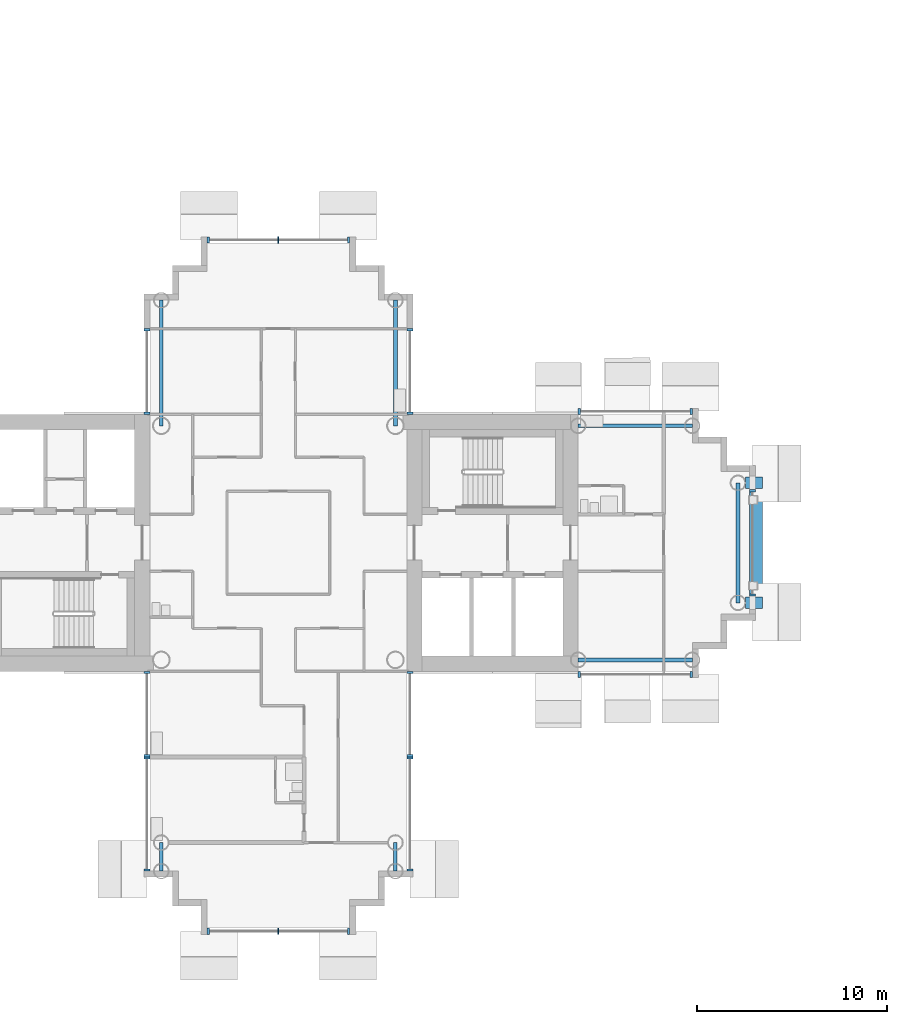
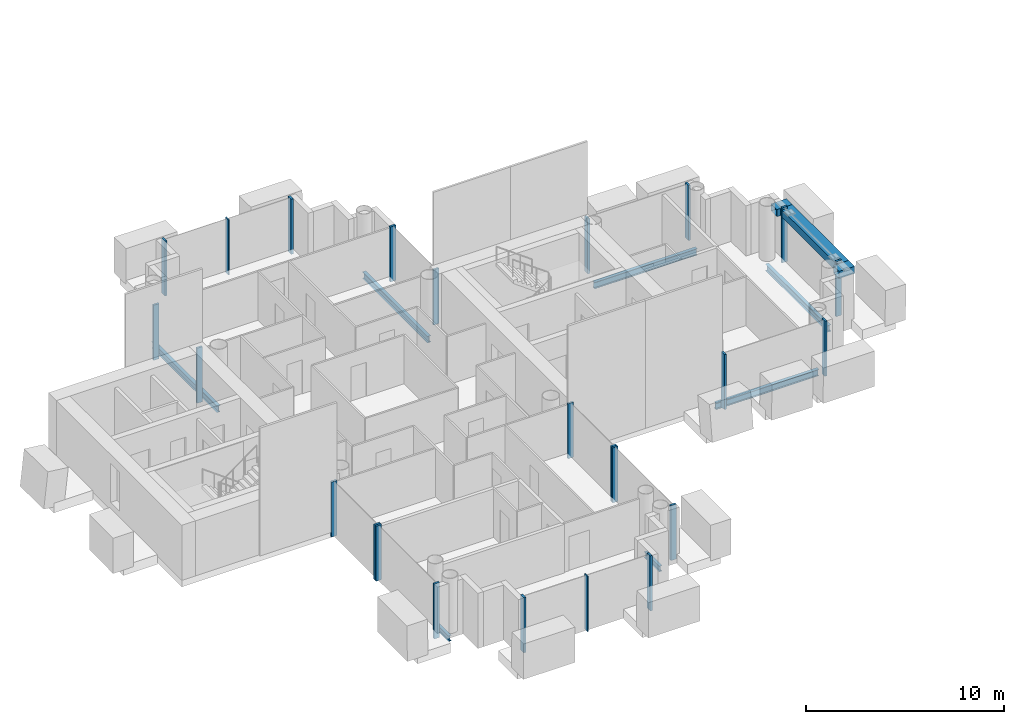
# One storey, part 3 of 18: 24 members, 10 beams, 11 elements without a shape of their own.
"""IFC4 building model written with IfcOpenShell, lengths in metres."""

from ifc_helpers import new_model, si_unit, direction, frame, origin, origin_2d, place, context, subcontext, project, spatial, rectangle, hollow_rectangle, i_section, extrude, material, layer, layer_set, material_profile, profile_set, type_object, element, aggregate, save


model = new_model("IFC4")

# Units and contexts
model_context = context("Model", 3, precision=1e-05, world=origin(), true_north=direction((0.0, 1.0)))
body_context = subcontext(model_context, "Body", "Model", "MODEL_VIEW")
ifc_project = project(units=[si_unit("LENGTHUNIT", "METRE"), si_unit("AREAUNIT", "SQUARE_METRE"), si_unit("VOLUMEUNIT", "CUBIC_METRE"), si_unit("PLANEANGLEUNIT", "RADIAN"), si_unit("MASSUNIT", "GRAM", prefix="KILO")], contexts=[model_context])

# Site, building, storey
site_placement = place(None, origin())
site = spatial("IfcSite", under=ifc_project, at=site_placement, CompositionType="ELEMENT")
building_placement = place(site_placement, origin())
building = spatial("IfcBuilding", under=site, at=building_placement, Name="Ipe Terrace Towers", CompositionType="ELEMENT")
storey_placement = place(building_placement, frame((0.0, 0.0, 177.89990234375)))
storey = spatial("IfcBuildingStorey", under=building, at=storey_placement, Name="L49", CompositionType="ELEMENT", Elevation=177.89990234375)

# Beams
ifc_material_1 = material(Name="Steel S355", Category="steel")
ifc_material_profile_1 = material_profile(ifc_material_1, hollow_rectangle(XDim=0.60009765625, YDim=0.449951171875, WallThickness=0.02490234375, at=origin_2d()), Name="BRIDGE-CORBEL BOX 600x450x25")
ifc_profile_set_1 = profile_set([ifc_material_profile_1], Name="Steel S355")
beam_type_1 = type_object("IfcBeamType", Name="BRIDGE-CORBEL BOX 600x450x25", PredefinedType="USERDEFINED", material=ifc_profile_set_1)
for number, where, z_axis, x_axis, name in (
    (1, (-11.449951171875, -3.14990234375, 2.7451171875), (1.0, 0.0, 0.0), (0.0, 1.0, 0.0), "BR3-CB-T1-S bearing seat arm"),
    (2, (-11.449951171875, 3.14990234375, 2.7451171875), (1.0, 0.0, 0.0), (0.0, 1.0, 0.0), "BR3-CB-T1-N bearing seat arm"),
):
    element("IfcBeam", number, at=place(storey_placement, frame(where, z_axis=z_axis, x_axis=x_axis)), inside=storey, type_object=beam_type_1, Name=name, ObjectType="CORBEL", PredefinedType="USERDEFINED", context=body_context, shape_type="SweptSolid", body=[
        extrude(hollow_rectangle(XDim=0.60009765625, YDim=0.449951171875, WallThickness=0.02490234375, at=origin_2d()), origin(), (0.0, 0.0, 1.0), 0.89990234375),
    ])
ifc_material_2 = material(Name="Steel S355", Category="steel")
ifc_material_profile_2 = material_profile(ifc_material_2, hollow_rectangle(XDim=0.699951171875, YDim=0.449951171875, WallThickness=0.02490234375, at=origin_2d()), Name="BRIDGE-SEAT BEAM BOX 700x450x25")
ifc_profile_set_2 = profile_set([ifc_material_profile_2], Name="Steel S355")
beam_type_2 = type_object("IfcBeamType", Name="BRIDGE-SEAT BEAM BOX 700x450x25", PredefinedType="USERDEFINED", material=ifc_profile_set_2)
beam_1_placement = place(storey_placement, frame((-10.89990234375, -2.85009765625, 2.7451171875), z_axis=(0.0, 1.0, 0.0), x_axis=(-1.0, 0.0, 0.0)))
element("IfcBeam", 3, at=beam_1_placement, inside=storey, type_object=beam_type_2, Name="BR3-SB-T1 bearing seat beam", ObjectType="SEAT BEAM", PredefinedType="USERDEFINED", context=body_context, shape_type="SweptSolid", body=[
    extrude(hollow_rectangle(XDim=0.699951171875, YDim=0.449951171875, WallThickness=0.02490234375, at=origin_2d()), origin(), (0.0, 0.0, 1.0), 5.7001953125),
])
ifc_material_3 = material(Name="Steel S355", Category="steel")
ifc_material_profile_3 = material_profile(ifc_material_3, i_section(OverallWidth=0.175048828125, OverallDepth=0.35009765625, WebThickness=0.007080078125, FlangeThickness=0.010986328125, at=origin_2d()), Name="H-350x175x7x11")
ifc_profile_set_3 = profile_set([ifc_material_profile_3], Name="Steel S355")
beam_type_3 = type_object("IfcBeamType", Name="H04 EDGE BEAM H-350x175x7x11", PredefinedType="BEAM", material=ifc_profile_set_3)
for number, where, z_axis, x_axis, name in (
    (4, (-42.14990234375, -15.75, -0.574951171875), (0.0, -1.0, 0.0), (1.0, 0.0, 0.0), "Edge beam T1-EB-D03-D05"),
    (5, (-29.85009765625, -15.75, -0.574951171875), (0.0, -1.0, 0.0), (1.0, 0.0, 0.0), "Edge beam T1-EB-D04-D06"),
):
    element("IfcBeam", number, at=place(storey_placement, frame(where, z_axis=z_axis, x_axis=x_axis)), inside=storey, type_object=beam_type_3, Name=name, PredefinedType="BEAM", context=body_context, shape_type="SweptSolid", body=[
        extrude(i_section(OverallWidth=0.175048828125, OverallDepth=0.35009765625, WebThickness=0.007080078125, FlangeThickness=0.010986328125, at=origin_2d()), origin(), (0.0, 0.0, 1.0), 1.5),
    ])
ifc_material_4 = material(Name="Steel S355", Category="steel")
ifc_material_profile_4 = material_profile(ifc_material_4, i_section(OverallWidth=0.199951171875, OverallDepth=0.39990234375, WebThickness=0.008056640625, FlangeThickness=0.012939453125, at=origin_2d()), Name="H-400x200x8x13")
ifc_profile_set_4 = profile_set([ifc_material_profile_4], Name="Steel S355")
beam_type_4 = type_object("IfcBeamType", Name="H06 EDGE BEAM H-400x200x8x13", PredefinedType="BEAM", material=ifc_profile_set_4)
for number, where, z_axis, x_axis, name in (
    (6, (-20.25, -6.14990234375, -0.599853515625), (1.0, 0.0, 0.0), (0.0, 1.0, 0.0), "Edge beam T1-EB-A01-A03"),
    (7, (-20.25, 6.14990234375, -0.599853515625), (1.0, 0.0, 0.0), (0.0, 1.0, 0.0), "Edge beam T1-EB-A02-A04"),
):
    element("IfcBeam", number, at=place(storey_placement, frame(where, z_axis=z_axis, x_axis=x_axis)), inside=storey, type_object=beam_type_4, Name=name, PredefinedType="BEAM", context=body_context, shape_type="SweptSolid", body=[
        extrude(i_section(OverallWidth=0.199951171875, OverallDepth=0.39990234375, WebThickness=0.008056640625, FlangeThickness=0.012939453125, at=origin_2d()), origin(), (0.0, 0.0, 1.0), 6.0),
    ])
beam_2_placement = place(storey_placement, frame((-11.85009765625, -3.14990234375, -0.599853515625), z_axis=(0.0, 1.0, 0.0), x_axis=(-1.0, 0.0, 0.0)))
element("IfcBeam", 8, at=beam_2_placement, inside=storey, type_object=beam_type_4, Name="Edge beam T1-EB-A05-A06", PredefinedType="BEAM", context=body_context, shape_type="SweptSolid", body=[
    extrude(i_section(OverallWidth=0.199951171875, OverallDepth=0.39990234375, WebThickness=0.008056640625, FlangeThickness=0.012939453125, at=origin_2d()), origin(), (0.0, 0.0, 1.0), 6.2998046875),
])
for number, where, z_axis, x_axis, name in (
    (9, (-29.85009765625, 12.75, -0.599853515625), (0.0, -1.0, 0.0), (1.0, 0.0, 0.0), "Edge beam T1-EB-B01-E03"),
    (10, (-42.14990234375, 12.75, -0.599853515625), (0.0, -1.0, 0.0), (1.0, 0.0, 0.0), "Edge beam T1-EB-B02-E04"),
):
    element("IfcBeam", number, at=place(storey_placement, frame(where, z_axis=z_axis, x_axis=x_axis)), inside=storey, type_object=beam_type_4, Name=name, PredefinedType="BEAM", context=body_context, shape_type="SweptSolid", body=[
        extrude(i_section(OverallWidth=0.199951171875, OverallDepth=0.39990234375, WebThickness=0.008056640625, FlangeThickness=0.012939453125, at=origin_2d()), origin(), (0.0, 0.0, 1.0), 6.60009765625),
    ])

# Curtain wall, members
ifc_material_5 = material(Name="Aluminium alloy 6063-T6", Category="aluminium")
ifc_layer = layer(ifc_material_5, 0.320068359375)
ifc_layer_set = layer_set([ifc_layer], Name="TOWER UNITISED CURTAIN WALL")
curtain_wall_type = type_object("IfcCurtainWallType", Name="TOWER UNITISED CURTAIN WALL", PredefinedType="NOTDEFINED", material=ifc_layer_set)
curtain_wall_1_placement = place(storey_placement, origin())
curtain_wall_1 = element("IfcCurtainWall", 11, at=curtain_wall_1_placement, inside=storey, type_object=curtain_wall_type, Name="T1-CW-L49-02a curtain wall", PredefinedType="NOTDEFINED")
ifc_material_6 = material(Name="Aluminium alloy 6063-T6", Category="aluminium")
ifc_material_profile_5 = material_profile(ifc_material_6, rectangle(XDim=0.320068359375, YDim=0.1201171875, at=origin_2d()), Name="TOWER UNITISED CORNER MULLION 320 x 120")
ifc_profile_set_5 = profile_set([ifc_material_profile_5], Name="Aluminium alloy 6063-T6")
member_type_1 = type_object("IfcMemberType", Name="TOWER UNITISED CORNER MULLION 320 x 120", PredefinedType="MULLION", material=ifc_profile_set_5)
member_1_placement = place(storey_placement, frame((-42.909912109375, -6.81005859375, -0.2998046875), z_axis=(0.0, 0.0, 1.0), x_axis=(-1.0, 0.0, 0.0)))
member_1 = element("IfcMember", 12, at=member_1_placement, type_object=member_type_1, Name="T1-CW-L49-02a mullion 1", PredefinedType="MULLION", context=body_context, shape_type="SweptSolid", body=[
    extrude(rectangle(XDim=0.320068359375, YDim=0.1201171875, at=origin_2d()), origin(), (0.0, 0.0, 1.0), 3.39990234375),
])
member_2_placement = place(storey_placement, frame((-42.909912109375, -11.18994140625, -0.2998046875), z_axis=(0.0, 0.0, 1.0), x_axis=(-1.0, 0.0, 0.0)))
member_2 = element("IfcMember", 13, at=member_2_placement, type_object=member_type_1, Name="T1-CW-L49-02a mullion 2", PredefinedType="MULLION", context=body_context, shape_type="SweptSolid", body=[
    extrude(rectangle(XDim=0.320068359375, YDim=0.1201171875, at=origin_2d()), origin(), (0.0, 0.0, 1.0), 3.39990234375),
])
aggregate(curtain_wall_1, [member_1, member_2])

curtain_wall_2_placement = place(storey_placement, origin())
curtain_wall_2 = element("IfcCurtainWall", 14, at=curtain_wall_2_placement, inside=storey, type_object=curtain_wall_type, Name="T1-CW-L49-03a curtain wall", PredefinedType="NOTDEFINED")
member_3_placement = place(storey_placement, frame((-42.909912109375, -11.31005859375, -0.2998046875), z_axis=(0.0, 0.0, 1.0), x_axis=(-1.0, 0.0, 0.0)))
member_3 = element("IfcMember", 15, at=member_3_placement, type_object=member_type_1, Name="T1-CW-L49-03a mullion 1", PredefinedType="MULLION", context=body_context, shape_type="SweptSolid", body=[
    extrude(rectangle(XDim=0.320068359375, YDim=0.1201171875, at=origin_2d()), origin(), (0.0, 0.0, 1.0), 3.39990234375),
])
member_4_placement = place(storey_placement, frame((-42.909912109375, -17.18994140625, -0.2998046875), z_axis=(0.0, 0.0, 1.0), x_axis=(-1.0, 0.0, 0.0)))
member_4 = element("IfcMember", 16, at=member_4_placement, type_object=member_type_1, Name="T1-CW-L49-03a mullion 2", PredefinedType="MULLION", context=body_context, shape_type="SweptSolid", body=[
    extrude(rectangle(XDim=0.320068359375, YDim=0.1201171875, at=origin_2d()), origin(), (0.0, 0.0, 1.0), 3.39990234375),
])
aggregate(curtain_wall_2, [member_3, member_4])

curtain_wall_3_placement = place(storey_placement, origin())
curtain_wall_3 = element("IfcCurtainWall", 17, at=curtain_wall_3_placement, inside=storey, type_object=curtain_wall_type, Name="T1-CW-L49-08a curtain wall", PredefinedType="NOTDEFINED")
member_5_placement = place(storey_placement, frame((-39.68994140625, -20.409912109375, -0.2998046875), z_axis=(0.0, 0.0, 1.0), x_axis=(0.0, -1.0, 0.0)))
member_5 = element("IfcMember", 18, at=member_5_placement, type_object=member_type_1, Name="T1-CW-L49-08a mullion 1", PredefinedType="MULLION", context=body_context, shape_type="SweptSolid", body=[
    extrude(rectangle(XDim=0.320068359375, YDim=0.1201171875, at=origin_2d()), origin(), (0.0, 0.0, 1.0), 3.39990234375),
])
member_6_placement = place(storey_placement, frame((-32.31005859375, -20.409912109375, -0.2998046875), z_axis=(0.0, 0.0, 1.0), x_axis=(0.0, -1.0, 0.0)))
member_6 = element("IfcMember", 19, at=member_6_placement, type_object=member_type_1, Name="T1-CW-L49-08a mullion 3", PredefinedType="MULLION", context=body_context, shape_type="SweptSolid", body=[
    extrude(rectangle(XDim=0.320068359375, YDim=0.1201171875, at=origin_2d()), origin(), (0.0, 0.0, 1.0), 3.39990234375),
])

curtain_wall_4_placement = place(storey_placement, origin())
curtain_wall_4 = element("IfcCurtainWall", 20, at=curtain_wall_4_placement, inside=storey, type_object=curtain_wall_type, Name="T1-CW-L49-13a curtain wall", PredefinedType="NOTDEFINED")
member_7_placement = place(storey_placement, frame((-29.090087890625, -17.18994140625, -0.2998046875), z_axis=(0.0, 0.0, 1.0), x_axis=(1.0, 0.0, 0.0)))
member_7 = element("IfcMember", 21, at=member_7_placement, type_object=member_type_1, Name="T1-CW-L49-13a mullion 1", PredefinedType="MULLION", context=body_context, shape_type="SweptSolid", body=[
    extrude(rectangle(XDim=0.320068359375, YDim=0.1201171875, at=origin_2d()), origin(), (0.0, 0.0, 1.0), 3.39990234375),
])
member_8_placement = place(storey_placement, frame((-29.090087890625, -11.31005859375, -0.2998046875), z_axis=(0.0, 0.0, 1.0), x_axis=(1.0, 0.0, 0.0)))
member_8 = element("IfcMember", 22, at=member_8_placement, type_object=member_type_1, Name="T1-CW-L49-13a mullion 2", PredefinedType="MULLION", context=body_context, shape_type="SweptSolid", body=[
    extrude(rectangle(XDim=0.320068359375, YDim=0.1201171875, at=origin_2d()), origin(), (0.0, 0.0, 1.0), 3.39990234375),
])
aggregate(curtain_wall_4, [member_7, member_8])

curtain_wall_5_placement = place(storey_placement, origin())
curtain_wall_5 = element("IfcCurtainWall", 23, at=curtain_wall_5_placement, inside=storey, type_object=curtain_wall_type, Name="T1-CW-L49-14a curtain wall", PredefinedType="NOTDEFINED")
member_9_placement = place(storey_placement, frame((-29.090087890625, -11.18994140625, -0.2998046875), z_axis=(0.0, 0.0, 1.0), x_axis=(1.0, 0.0, 0.0)))
member_9 = element("IfcMember", 24, at=member_9_placement, type_object=member_type_1, Name="T1-CW-L49-14a mullion 1", PredefinedType="MULLION", context=body_context, shape_type="SweptSolid", body=[
    extrude(rectangle(XDim=0.320068359375, YDim=0.1201171875, at=origin_2d()), origin(), (0.0, 0.0, 1.0), 3.39990234375),
])
member_10_placement = place(storey_placement, frame((-29.090087890625, -6.81005859375, -0.2998046875), z_axis=(0.0, 0.0, 1.0), x_axis=(1.0, 0.0, 0.0)))
member_10 = element("IfcMember", 25, at=member_10_placement, type_object=member_type_1, Name="T1-CW-L49-14a mullion 2", PredefinedType="MULLION", context=body_context, shape_type="SweptSolid", body=[
    extrude(rectangle(XDim=0.320068359375, YDim=0.1201171875, at=origin_2d()), origin(), (0.0, 0.0, 1.0), 3.39990234375),
])
aggregate(curtain_wall_5, [member_9, member_10])

curtain_wall_6_placement = place(storey_placement, origin())
curtain_wall_6 = element("IfcCurtainWall", 26, at=curtain_wall_6_placement, inside=storey, type_object=curtain_wall_type, Name="T1-CW-L49-16b curtain wall", PredefinedType="NOTDEFINED")
member_11_placement = place(storey_placement, frame((-20.18896484375, -6.909912109375, -0.2998046875), z_axis=(0.0, 0.0, 1.0), x_axis=(0.0, -1.0, 0.0)))
member_11 = element("IfcMember", 27, at=member_11_placement, type_object=member_type_1, Name="T1-CW-L49-16b mullion 1", PredefinedType="MULLION", context=body_context, shape_type="SweptSolid", body=[
    extrude(rectangle(XDim=0.320068359375, YDim=0.1201171875, at=origin_2d()), origin(), (0.0, 0.0, 1.0), 3.39990234375),
])
member_12_placement = place(storey_placement, frame((-14.31005859375, -6.909912109375, -0.2998046875), z_axis=(0.0, 0.0, 1.0), x_axis=(0.0, -1.0, 0.0)))
member_12 = element("IfcMember", 28, at=member_12_placement, type_object=member_type_1, Name="T1-CW-L49-16b mullion 2", PredefinedType="MULLION", context=body_context, shape_type="SweptSolid", body=[
    extrude(rectangle(XDim=0.320068359375, YDim=0.1201171875, at=origin_2d()), origin(), (0.0, 0.0, 1.0), 3.39990234375),
])
aggregate(curtain_wall_6, [member_11, member_12])

curtain_wall_7_placement = place(storey_placement, origin())
curtain_wall_7 = element("IfcCurtainWall", 29, at=curtain_wall_7_placement, inside=storey, type_object=curtain_wall_type, Name="T1-CW-L49-21d curtain wall", PredefinedType="NOTDEFINED")
member_13_placement = place(storey_placement, frame((-11.090087890625, -2.739990234375, -0.2998046875), z_axis=(0.0, 0.0, 1.0), x_axis=(1.0, 0.0, 0.0)))
member_13 = element("IfcMember", 30, at=member_13_placement, type_object=member_type_1, Name="T1-CW-L49-21d mullion 1", PredefinedType="MULLION", context=body_context, shape_type="SweptSolid", body=[
    extrude(rectangle(XDim=0.320068359375, YDim=0.1201171875, at=origin_2d()), origin(), (0.0, 0.0, 1.0), 3.39990234375),
])
member_14_placement = place(storey_placement, frame((-11.090087890625, 2.739990234375, -0.2998046875), z_axis=(0.0, 0.0, 1.0), x_axis=(1.0, 0.0, 0.0)))
member_14 = element("IfcMember", 31, at=member_14_placement, type_object=member_type_1, Name="T1-CW-L49-21d mullion 2", PredefinedType="MULLION", context=body_context, shape_type="SweptSolid", body=[
    extrude(rectangle(XDim=0.320068359375, YDim=0.1201171875, at=origin_2d()), origin(), (0.0, 0.0, 1.0), 3.39990234375),
])
aggregate(curtain_wall_7, [member_13, member_14])

curtain_wall_8_placement = place(storey_placement, origin())
curtain_wall_8 = element("IfcCurtainWall", 32, at=curtain_wall_8_placement, inside=storey, type_object=curtain_wall_type, Name="T1-CW-L49-26a curtain wall", PredefinedType="NOTDEFINED")
member_15_placement = place(storey_placement, frame((-14.31005859375, 6.909912109375, -0.2998046875), z_axis=(0.0, 0.0, 1.0), x_axis=(0.0, 1.0, 0.0)))
member_15 = element("IfcMember", 33, at=member_15_placement, type_object=member_type_1, Name="T1-CW-L49-26a mullion 1", PredefinedType="MULLION", context=body_context, shape_type="SweptSolid", body=[
    extrude(rectangle(XDim=0.320068359375, YDim=0.1201171875, at=origin_2d()), origin(), (0.0, 0.0, 1.0), 3.39990234375),
])
member_16_placement = place(storey_placement, frame((-20.18896484375, 6.909912109375, -0.2998046875), z_axis=(0.0, 0.0, 1.0), x_axis=(0.0, 1.0, 0.0)))
member_16 = element("IfcMember", 34, at=member_16_placement, type_object=member_type_1, Name="T1-CW-L49-26a mullion 2", PredefinedType="MULLION", context=body_context, shape_type="SweptSolid", body=[
    extrude(rectangle(XDim=0.320068359375, YDim=0.1201171875, at=origin_2d()), origin(), (0.0, 0.0, 1.0), 3.39990234375),
])
aggregate(curtain_wall_8, [member_15, member_16])

curtain_wall_9_placement = place(storey_placement, origin())
curtain_wall_9 = element("IfcCurtainWall", 35, at=curtain_wall_9_placement, inside=storey, type_object=curtain_wall_type, Name="T1-CW-L49-28a curtain wall", PredefinedType="NOTDEFINED")
member_17_placement = place(storey_placement, frame((-29.090087890625, 6.81005859375, -0.2998046875), z_axis=(0.0, 0.0, 1.0), x_axis=(1.0, 0.0, 0.0)))
member_17 = element("IfcMember", 36, at=member_17_placement, type_object=member_type_1, Name="T1-CW-L49-28a mullion 1", PredefinedType="MULLION", context=body_context, shape_type="SweptSolid", body=[
    extrude(rectangle(XDim=0.320068359375, YDim=0.1201171875, at=origin_2d()), origin(), (0.0, 0.0, 1.0), 3.39990234375),
])
member_18_placement = place(storey_placement, frame((-29.090087890625, 11.18994140625, -0.2998046875), z_axis=(0.0, 0.0, 1.0), x_axis=(1.0, 0.0, 0.0)))
member_18 = element("IfcMember", 37, at=member_18_placement, type_object=member_type_1, Name="T1-CW-L49-28a mullion 2", PredefinedType="MULLION", context=body_context, shape_type="SweptSolid", body=[
    extrude(rectangle(XDim=0.320068359375, YDim=0.1201171875, at=origin_2d()), origin(), (0.0, 0.0, 1.0), 3.39990234375),
])
aggregate(curtain_wall_9, [member_17, member_18])

curtain_wall_10_placement = place(storey_placement, origin())
curtain_wall_10 = element("IfcCurtainWall", 38, at=curtain_wall_10_placement, inside=storey, type_object=curtain_wall_type, Name="T1-CW-L49-34a curtain wall", PredefinedType="NOTDEFINED")
member_19_placement = place(storey_placement, frame((-32.31005859375, 15.909912109375, -0.2998046875), z_axis=(0.0, 0.0, 1.0), x_axis=(0.0, 1.0, 0.0)))
member_19 = element("IfcMember", 39, at=member_19_placement, type_object=member_type_1, Name="T1-CW-L49-34a mullion 1", PredefinedType="MULLION", context=body_context, shape_type="SweptSolid", body=[
    extrude(rectangle(XDim=0.320068359375, YDim=0.1201171875, at=origin_2d()), origin(), (0.0, 0.0, 1.0), 3.39990234375),
])
member_20_placement = place(storey_placement, frame((-39.68994140625, 15.909912109375, -0.2998046875), z_axis=(0.0, 0.0, 1.0), x_axis=(0.0, 1.0, 0.0)))
member_20 = element("IfcMember", 40, at=member_20_placement, type_object=member_type_1, Name="T1-CW-L49-34a mullion 3", PredefinedType="MULLION", context=body_context, shape_type="SweptSolid", body=[
    extrude(rectangle(XDim=0.320068359375, YDim=0.1201171875, at=origin_2d()), origin(), (0.0, 0.0, 1.0), 3.39990234375),
])

curtain_wall_11_placement = place(storey_placement, origin())
curtain_wall_11 = element("IfcCurtainWall", 41, at=curtain_wall_11_placement, inside=storey, type_object=curtain_wall_type, Name="T1-CW-L49-40a curtain wall", PredefinedType="NOTDEFINED")
member_21_placement = place(storey_placement, frame((-42.909912109375, 11.18994140625, -0.2998046875), z_axis=(0.0, 0.0, 1.0), x_axis=(-1.0, 0.0, 0.0)))
member_21 = element("IfcMember", 42, at=member_21_placement, type_object=member_type_1, Name="T1-CW-L49-40a mullion 1", PredefinedType="MULLION", context=body_context, shape_type="SweptSolid", body=[
    extrude(rectangle(XDim=0.320068359375, YDim=0.1201171875, at=origin_2d()), origin(), (0.0, 0.0, 1.0), 3.39990234375),
])
member_22_placement = place(storey_placement, frame((-42.909912109375, 6.81005859375, -0.2998046875), z_axis=(0.0, 0.0, 1.0), x_axis=(-1.0, 0.0, 0.0)))
member_22 = element("IfcMember", 43, at=member_22_placement, type_object=member_type_1, Name="T1-CW-L49-40a mullion 2", PredefinedType="MULLION", context=body_context, shape_type="SweptSolid", body=[
    extrude(rectangle(XDim=0.320068359375, YDim=0.1201171875, at=origin_2d()), origin(), (0.0, 0.0, 1.0), 3.39990234375),
])
aggregate(curtain_wall_11, [member_21, member_22])

# Member
ifc_material_7 = material(Name="Aluminium alloy 6063-T6", Category="aluminium")
ifc_material_profile_6 = material_profile(ifc_material_7, rectangle(XDim=0.320068359375, YDim=0.06494140625, at=origin_2d()), Name="TOWER UNITISED MULLION 320 x 65")
ifc_profile_set_6 = profile_set([ifc_material_profile_6], Name="Aluminium alloy 6063-T6")
member_type_2 = type_object("IfcMemberType", Name="TOWER UNITISED MULLION 320 x 65", PredefinedType="MULLION", material=ifc_profile_set_6)
member_23_placement = place(storey_placement, frame((-36.0, -20.409912109375, -0.2998046875), z_axis=(0.0, 0.0, 1.0), x_axis=(0.0, -1.0, 0.0)))
member_23 = element("IfcMember", 44, at=member_23_placement, type_object=member_type_2, Name="T1-CW-L49-08a mullion 2", PredefinedType="MULLION", context=body_context, shape_type="SweptSolid", body=[
    extrude(rectangle(XDim=0.320068359375, YDim=0.06494140625, at=origin_2d()), origin(), (0.0, 0.0, 1.0), 3.39990234375),
])

aggregate(curtain_wall_3, [member_5, member_23, member_6])

member_24_placement = place(storey_placement, frame((-36.0, 15.909912109375, -0.2998046875), z_axis=(0.0, 0.0, 1.0), x_axis=(0.0, 1.0, 0.0)))
member_24 = element("IfcMember", 45, at=member_24_placement, type_object=member_type_2, Name="T1-CW-L49-34a mullion 2", PredefinedType="MULLION", context=body_context, shape_type="SweptSolid", body=[
    extrude(rectangle(XDim=0.320068359375, YDim=0.06494140625, at=origin_2d()), origin(), (0.0, 0.0, 1.0), 3.39990234375),
])

aggregate(curtain_wall_10, [member_19, member_24, member_20])

save(model, "model.ifc")
